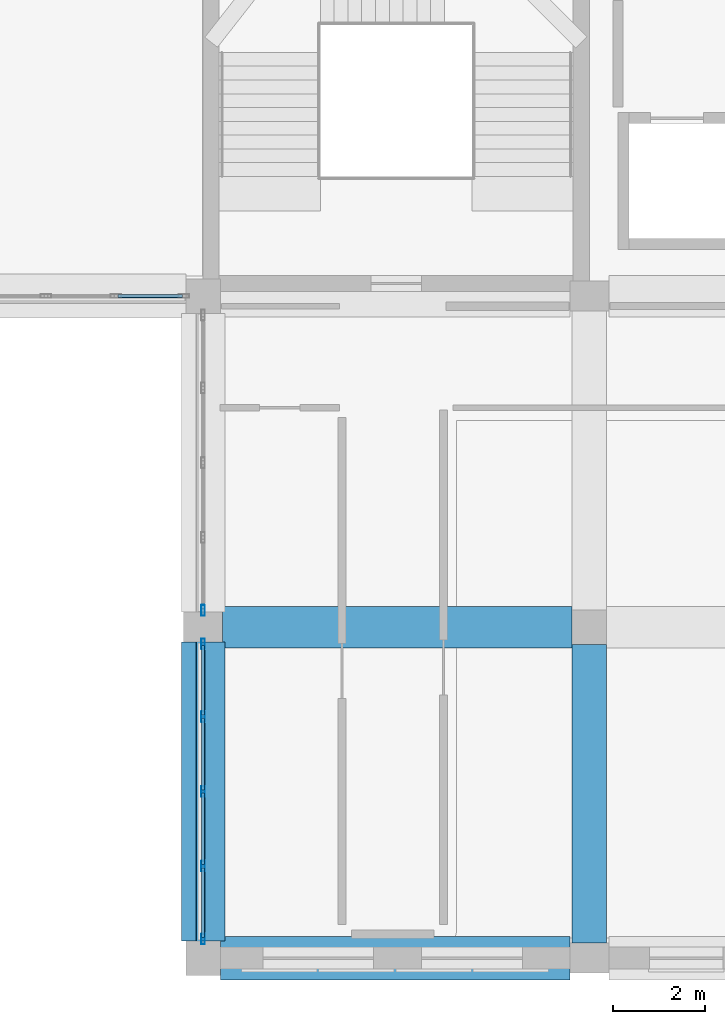
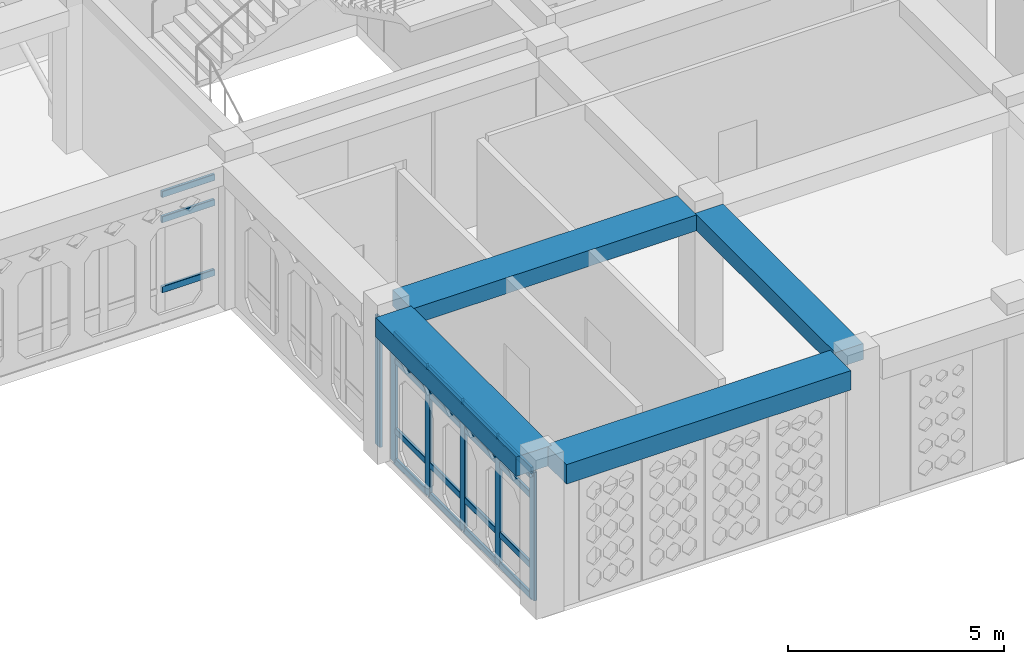
# One storey, part 3 of 100: 26 members, 4 beams, 3 elements without a shape of their own.
"""IFC4 building model written with IfcOpenShell, lengths in metres."""

from ifc_helpers import new_model, si_unit, derived_unit, direction, frame, origin, origin_2d, place, context, subcontext, project, spatial, rectangle, hollow_rectangle, extrude, material, material_profile, profile_set, type_object, element, aggregate, save


model = new_model("IFC4")

# Units and contexts
model_context = context("Model", 3, precision=1e-05, world=origin(), true_north=direction((0.0, 1.0)))
body_context = subcontext(model_context, "Body", "Model", "MODEL_VIEW")
ifc_project = project(units=[si_unit("LENGTHUNIT", "METRE"), si_unit("AREAUNIT", "SQUARE_METRE"), si_unit("VOLUMEUNIT", "CUBIC_METRE"), si_unit("PLANEANGLEUNIT", "RADIAN"), si_unit("MASSUNIT", "GRAM", prefix="KILO"), derived_unit("THERMALTRANSMITTANCEUNIT", [(si_unit("POWERUNIT", "WATT"), 1), (si_unit("LENGTHUNIT", "METRE"), -2), (si_unit("THERMODYNAMICTEMPERATUREUNIT", "KELVIN"), -1)])], contexts=[model_context])

# Site, building, storey
site_placement = place(None, origin())
site = spatial("IfcSite", under=ifc_project, at=site_placement, CompositionType="ELEMENT")
building_placement = place(site_placement, origin())
building = spatial("IfcBuilding", under=site, at=building_placement, Name="Veybourne Emporium", CompositionType="ELEMENT")
storey_placement = place(building_placement, frame((0.0, 0.0, 14.39990234375)))
storey = spatial("IfcBuildingStorey", under=building, at=storey_placement, Name="L03", CompositionType="ELEMENT", Elevation=14.39990234375)

# Curtain wall, members
ifc_material_1 = material(Name="Patinated Architectural Bronze", Category="bronze")
curtain_wall_type_1 = type_object("IfcCurtainWallType", Name="CWSystem_CWS-10", PredefinedType="NOTDEFINED", material=ifc_material_1)
curtain_wall_1_placement = place(storey_placement, origin())
curtain_wall_1 = element("IfcCurtainWall", 1, at=curtain_wall_1_placement, inside=storey, type_object=curtain_wall_type_1, Name="L03 bronze glazed curtain wall CWS-10 (015)", PredefinedType="NOTDEFINED")
ifc_material_profile_1 = material_profile(ifc_material_1, hollow_rectangle(XDim=0.074951171875, YDim=0.22998046875, WallThickness=0.0048828125, InnerFilletRadius=0.007568359375, OuterFilletRadius=0.012451171875, at=origin_2d()), Name="CWM 75x230x5")
ifc_profile_set_1 = profile_set([ifc_material_profile_1], Name="Patinated Architectural Bronze")
member_type_1 = type_object("IfcMemberType", Name="CWMullion_CW-M2", PredefinedType="MULLION", material=ifc_profile_set_1)
member_1_placement = place(storey_placement, frame((16.800048828125, 0.41259765625, 0.0), z_axis=(0.0, 0.0, 1.0), x_axis=(-1.0, 0.0, 0.0)))
member_1 = element("IfcMember", 2, at=member_1_placement, type_object=member_type_1, Name="CWS-10 mullion 1", PredefinedType="MULLION", context=body_context, shape_type="SweptSolid", body=[
    extrude(hollow_rectangle(XDim=0.074951171875, YDim=0.22998046875, WallThickness=0.0048828125, InnerFilletRadius=0.007568359375, OuterFilletRadius=0.012451171875, at=origin_2d()), origin(), (0.0, 0.0, 1.0), 3.630126953125),
])
member_2_placement = place(storey_placement, frame((16.800048828125, 2.0, 0.0), z_axis=(0.0, 0.0, 1.0), x_axis=(-1.0, 0.0, 0.0)))
member_2 = element("IfcMember", 3, at=member_2_placement, type_object=member_type_1, Name="CWS-10 mullion 2", PredefinedType="MULLION", context=body_context, shape_type="SweptSolid", body=[
    extrude(hollow_rectangle(XDim=0.074951171875, YDim=0.22998046875, WallThickness=0.0048828125, InnerFilletRadius=0.007568359375, OuterFilletRadius=0.012451171875, at=origin_2d()), origin(), (0.0, 0.0, 1.0), 3.630126953125),
])
member_3_placement = place(storey_placement, frame((16.800048828125, 3.625, 0.0), z_axis=(0.0, 0.0, 1.0), x_axis=(-1.0, 0.0, 0.0)))
member_3 = element("IfcMember", 4, at=member_3_placement, type_object=member_type_1, Name="CWS-10 mullion 3", PredefinedType="MULLION", context=body_context, shape_type="SweptSolid", body=[
    extrude(hollow_rectangle(XDim=0.074951171875, YDim=0.22998046875, WallThickness=0.0048828125, InnerFilletRadius=0.007568359375, OuterFilletRadius=0.012451171875, at=origin_2d()), origin(), (0.0, 0.0, 1.0), 3.630126953125),
])
member_4_placement = place(storey_placement, frame((16.800048828125, 5.25, 0.0), z_axis=(0.0, 0.0, 1.0), x_axis=(-1.0, 0.0, 0.0)))
member_4 = element("IfcMember", 5, at=member_4_placement, type_object=member_type_1, Name="CWS-10 mullion 4", PredefinedType="MULLION", context=body_context, shape_type="SweptSolid", body=[
    extrude(hollow_rectangle(XDim=0.074951171875, YDim=0.22998046875, WallThickness=0.0048828125, InnerFilletRadius=0.007568359375, OuterFilletRadius=0.012451171875, at=origin_2d()), origin(), (0.0, 0.0, 1.0), 3.630126953125),
])
member_5_placement = place(storey_placement, frame((16.800048828125, 6.83740234375, 0.0), z_axis=(0.0, 0.0, 1.0), x_axis=(-1.0, 0.0, 0.0)))
member_5 = element("IfcMember", 6, at=member_5_placement, type_object=member_type_1, Name="CWS-10 mullion 5", PredefinedType="MULLION", context=body_context, shape_type="SweptSolid", body=[
    extrude(hollow_rectangle(XDim=0.074951171875, YDim=0.22998046875, WallThickness=0.0048828125, InnerFilletRadius=0.007568359375, OuterFilletRadius=0.012451171875, at=origin_2d()), origin(), (0.0, 0.0, 1.0), 3.630126953125),
])

# Curtain wall, member
curtain_wall_type_2 = type_object("IfcCurtainWallType", Name="CWSystem_CWS-11", PredefinedType="NOTDEFINED", material=ifc_material_1)
curtain_wall_2_placement = place(storey_placement, origin())
curtain_wall_2 = element("IfcCurtainWall", 7, at=curtain_wall_2_placement, inside=storey, type_object=curtain_wall_type_2, Name="L03 bronze glazed curtain wall CWS-11 (016)", PredefinedType="NOTDEFINED")
ifc_material_profile_2 = material_profile(ifc_material_1, hollow_rectangle(XDim=0.077880859375, YDim=0.235107421875, WallThickness=0.0048828125, InnerFilletRadius=0.007568359375, OuterFilletRadius=0.012451171875, at=origin_2d()), Name="CWM 78x235x5")
ifc_profile_set_2 = profile_set([ifc_material_profile_2], Name="Patinated Architectural Bronze")
member_type_2 = type_object("IfcMemberType", Name="CWMullion_CW-M3", PredefinedType="MULLION", material=ifc_profile_set_2)
member_6_placement = place(storey_placement, frame((16.800048828125, 7.56396484375, 0.0), z_axis=(0.0, 0.0, 1.0), x_axis=(-1.0, 0.0, 0.0)))
member_6 = element("IfcMember", 8, at=member_6_placement, type_object=member_type_2, Name="CWS-11 mullion 1", PredefinedType="MULLION", context=body_context, shape_type="SweptSolid", body=[
    extrude(hollow_rectangle(XDim=0.077880859375, YDim=0.235107421875, WallThickness=0.0048828125, InnerFilletRadius=0.007568359375, OuterFilletRadius=0.012451171875, at=origin_2d()), origin(), (0.0, 0.0, 1.0), 3.630126953125),
])
aggregate(curtain_wall_2, [member_6])

# Member
ifc_material_profile_3 = material_profile(ifc_material_1, hollow_rectangle(XDim=0.074951171875, YDim=0.179931640625, WallThickness=0.0048828125, InnerFilletRadius=0.007568359375, OuterFilletRadius=0.012451171875, at=origin_2d()), Name="CWT 75x180x5")
ifc_profile_set_3 = profile_set([ifc_material_profile_3], Name="Patinated Architectural Bronze")
member_type_3 = type_object("IfcMemberType", Name="CWTransom_CW-T2", PredefinedType="NOTDEFINED", material=ifc_profile_set_3)
member_7_placement = place(storey_placement, frame((16.800048828125, 0.449951171875, 0.03759765625), z_axis=(0.0, 1.0, 0.0), x_axis=(-1.0, 0.0, 0.0)))
member_7 = element("IfcMember", 9, at=member_7_placement, type_object=member_type_3, Name="CWS-10 transom 1.1", ObjectType="TRANSOM", PredefinedType="USERDEFINED", context=body_context, shape_type="SweptSolid", body=[
    extrude(hollow_rectangle(XDim=0.074951171875, YDim=0.179931640625, WallThickness=0.0048828125, InnerFilletRadius=0.007568359375, OuterFilletRadius=0.012451171875, at=origin_2d()), origin(), (0.0, 0.0, 1.0), 1.512451171875),
])

member_8_placement = place(storey_placement, frame((16.800048828125, 0.449951171875, 0.900146484375), z_axis=(0.0, 1.0, 0.0), x_axis=(-1.0, 0.0, 0.0)))
member_8 = element("IfcMember", 10, at=member_8_placement, type_object=member_type_3, Name="CWS-10 transom 1.2", ObjectType="TRANSOM", PredefinedType="USERDEFINED", context=body_context, shape_type="SweptSolid", body=[
    extrude(hollow_rectangle(XDim=0.074951171875, YDim=0.179931640625, WallThickness=0.0048828125, InnerFilletRadius=0.007568359375, OuterFilletRadius=0.012451171875, at=origin_2d()), origin(), (0.0, 0.0, 1.0), 1.512451171875),
])

member_9_placement = place(storey_placement, frame((16.800048828125, 0.449951171875, 2.880126953125), z_axis=(0.0, 1.0, 0.0), x_axis=(-1.0, 0.0, 0.0)))
member_9 = element("IfcMember", 11, at=member_9_placement, type_object=member_type_3, Name="CWS-10 transom 1.3", ObjectType="TRANSOM", PredefinedType="USERDEFINED", context=body_context, shape_type="SweptSolid", body=[
    extrude(hollow_rectangle(XDim=0.074951171875, YDim=0.179931640625, WallThickness=0.0048828125, InnerFilletRadius=0.007568359375, OuterFilletRadius=0.012451171875, at=origin_2d()), origin(), (0.0, 0.0, 1.0), 1.512451171875),
])

member_10_placement = place(storey_placement, frame((16.800048828125, 0.449951171875, 3.592529296875), z_axis=(0.0, 1.0, 0.0), x_axis=(-1.0, 0.0, 0.0)))
member_10 = element("IfcMember", 12, at=member_10_placement, type_object=member_type_3, Name="CWS-10 transom 1.4", ObjectType="TRANSOM", PredefinedType="USERDEFINED", context=body_context, shape_type="SweptSolid", body=[
    extrude(hollow_rectangle(XDim=0.074951171875, YDim=0.179931640625, WallThickness=0.0048828125, InnerFilletRadius=0.007568359375, OuterFilletRadius=0.012451171875, at=origin_2d()), origin(), (0.0, 0.0, 1.0), 1.512451171875),
])

member_11_placement = place(storey_placement, frame((16.800048828125, 2.03759765625, 0.03759765625), z_axis=(0.0, 1.0, 0.0), x_axis=(-1.0, 0.0, 0.0)))
member_11 = element("IfcMember", 13, at=member_11_placement, type_object=member_type_3, Name="CWS-10 transom 2.1", ObjectType="TRANSOM", PredefinedType="USERDEFINED", context=body_context, shape_type="SweptSolid", body=[
    extrude(hollow_rectangle(XDim=0.074951171875, YDim=0.179931640625, WallThickness=0.0048828125, InnerFilletRadius=0.007568359375, OuterFilletRadius=0.012451171875, at=origin_2d()), origin(), (0.0, 0.0, 1.0), 1.5498046875),
])

member_12_placement = place(storey_placement, frame((16.800048828125, 2.03759765625, 0.900146484375), z_axis=(0.0, 1.0, 0.0), x_axis=(-1.0, 0.0, 0.0)))
member_12 = element("IfcMember", 14, at=member_12_placement, type_object=member_type_3, Name="CWS-10 transom 2.2", ObjectType="TRANSOM", PredefinedType="USERDEFINED", context=body_context, shape_type="SweptSolid", body=[
    extrude(hollow_rectangle(XDim=0.074951171875, YDim=0.179931640625, WallThickness=0.0048828125, InnerFilletRadius=0.007568359375, OuterFilletRadius=0.012451171875, at=origin_2d()), origin(), (0.0, 0.0, 1.0), 1.5498046875),
])

member_13_placement = place(storey_placement, frame((16.800048828125, 2.03759765625, 2.880126953125), z_axis=(0.0, 1.0, 0.0), x_axis=(-1.0, 0.0, 0.0)))
member_13 = element("IfcMember", 15, at=member_13_placement, type_object=member_type_3, Name="CWS-10 transom 2.3", ObjectType="TRANSOM", PredefinedType="USERDEFINED", context=body_context, shape_type="SweptSolid", body=[
    extrude(hollow_rectangle(XDim=0.074951171875, YDim=0.179931640625, WallThickness=0.0048828125, InnerFilletRadius=0.007568359375, OuterFilletRadius=0.012451171875, at=origin_2d()), origin(), (0.0, 0.0, 1.0), 1.5498046875),
])

member_14_placement = place(storey_placement, frame((16.800048828125, 2.03759765625, 3.592529296875), z_axis=(0.0, 1.0, 0.0), x_axis=(-1.0, 0.0, 0.0)))
member_14 = element("IfcMember", 16, at=member_14_placement, type_object=member_type_3, Name="CWS-10 transom 2.4", ObjectType="TRANSOM", PredefinedType="USERDEFINED", context=body_context, shape_type="SweptSolid", body=[
    extrude(hollow_rectangle(XDim=0.074951171875, YDim=0.179931640625, WallThickness=0.0048828125, InnerFilletRadius=0.007568359375, OuterFilletRadius=0.012451171875, at=origin_2d()), origin(), (0.0, 0.0, 1.0), 1.5498046875),
])

member_15_placement = place(storey_placement, frame((16.800048828125, 3.66259765625, 0.03759765625), z_axis=(0.0, 1.0, 0.0), x_axis=(-1.0, 0.0, 0.0)))
member_15 = element("IfcMember", 17, at=member_15_placement, type_object=member_type_3, Name="CWS-10 transom 3.1", ObjectType="TRANSOM", PredefinedType="USERDEFINED", context=body_context, shape_type="SweptSolid", body=[
    extrude(hollow_rectangle(XDim=0.074951171875, YDim=0.179931640625, WallThickness=0.0048828125, InnerFilletRadius=0.007568359375, OuterFilletRadius=0.012451171875, at=origin_2d()), origin(), (0.0, 0.0, 1.0), 1.5498046875),
])

member_16_placement = place(storey_placement, frame((16.800048828125, 3.66259765625, 0.900146484375), z_axis=(0.0, 1.0, 0.0), x_axis=(-1.0, 0.0, 0.0)))
member_16 = element("IfcMember", 18, at=member_16_placement, type_object=member_type_3, Name="CWS-10 transom 3.2", ObjectType="TRANSOM", PredefinedType="USERDEFINED", context=body_context, shape_type="SweptSolid", body=[
    extrude(hollow_rectangle(XDim=0.074951171875, YDim=0.179931640625, WallThickness=0.0048828125, InnerFilletRadius=0.007568359375, OuterFilletRadius=0.012451171875, at=origin_2d()), origin(), (0.0, 0.0, 1.0), 1.5498046875),
])

member_17_placement = place(storey_placement, frame((16.800048828125, 3.66259765625, 2.880126953125), z_axis=(0.0, 1.0, 0.0), x_axis=(-1.0, 0.0, 0.0)))
member_17 = element("IfcMember", 19, at=member_17_placement, type_object=member_type_3, Name="CWS-10 transom 3.3", ObjectType="TRANSOM", PredefinedType="USERDEFINED", context=body_context, shape_type="SweptSolid", body=[
    extrude(hollow_rectangle(XDim=0.074951171875, YDim=0.179931640625, WallThickness=0.0048828125, InnerFilletRadius=0.007568359375, OuterFilletRadius=0.012451171875, at=origin_2d()), origin(), (0.0, 0.0, 1.0), 1.5498046875),
])

member_18_placement = place(storey_placement, frame((16.800048828125, 3.66259765625, 3.592529296875), z_axis=(0.0, 1.0, 0.0), x_axis=(-1.0, 0.0, 0.0)))
member_18 = element("IfcMember", 20, at=member_18_placement, type_object=member_type_3, Name="CWS-10 transom 3.4", ObjectType="TRANSOM", PredefinedType="USERDEFINED", context=body_context, shape_type="SweptSolid", body=[
    extrude(hollow_rectangle(XDim=0.074951171875, YDim=0.179931640625, WallThickness=0.0048828125, InnerFilletRadius=0.007568359375, OuterFilletRadius=0.012451171875, at=origin_2d()), origin(), (0.0, 0.0, 1.0), 1.5498046875),
])

member_19_placement = place(storey_placement, frame((16.800048828125, 5.28759765625, 0.03759765625), z_axis=(0.0, 1.0, 0.0), x_axis=(-1.0, 0.0, 0.0)))
member_19 = element("IfcMember", 21, at=member_19_placement, type_object=member_type_3, Name="CWS-10 transom 4.1", ObjectType="TRANSOM", PredefinedType="USERDEFINED", context=body_context, shape_type="SweptSolid", body=[
    extrude(hollow_rectangle(XDim=0.074951171875, YDim=0.179931640625, WallThickness=0.0048828125, InnerFilletRadius=0.007568359375, OuterFilletRadius=0.012451171875, at=origin_2d()), origin(), (0.0, 0.0, 1.0), 1.512451171875),
])

member_20_placement = place(storey_placement, frame((16.800048828125, 5.28759765625, 0.900146484375), z_axis=(0.0, 1.0, 0.0), x_axis=(-1.0, 0.0, 0.0)))
member_20 = element("IfcMember", 22, at=member_20_placement, type_object=member_type_3, Name="CWS-10 transom 4.2", ObjectType="TRANSOM", PredefinedType="USERDEFINED", context=body_context, shape_type="SweptSolid", body=[
    extrude(hollow_rectangle(XDim=0.074951171875, YDim=0.179931640625, WallThickness=0.0048828125, InnerFilletRadius=0.007568359375, OuterFilletRadius=0.012451171875, at=origin_2d()), origin(), (0.0, 0.0, 1.0), 1.512451171875),
])

member_21_placement = place(storey_placement, frame((16.800048828125, 5.28759765625, 2.880126953125), z_axis=(0.0, 1.0, 0.0), x_axis=(-1.0, 0.0, 0.0)))
member_21 = element("IfcMember", 23, at=member_21_placement, type_object=member_type_3, Name="CWS-10 transom 4.3", ObjectType="TRANSOM", PredefinedType="USERDEFINED", context=body_context, shape_type="SweptSolid", body=[
    extrude(hollow_rectangle(XDim=0.074951171875, YDim=0.179931640625, WallThickness=0.0048828125, InnerFilletRadius=0.007568359375, OuterFilletRadius=0.012451171875, at=origin_2d()), origin(), (0.0, 0.0, 1.0), 1.512451171875),
])

member_22_placement = place(storey_placement, frame((16.800048828125, 5.28759765625, 3.592529296875), z_axis=(0.0, 1.0, 0.0), x_axis=(-1.0, 0.0, 0.0)))
member_22 = element("IfcMember", 24, at=member_22_placement, type_object=member_type_3, Name="CWS-10 transom 4.4", ObjectType="TRANSOM", PredefinedType="USERDEFINED", context=body_context, shape_type="SweptSolid", body=[
    extrude(hollow_rectangle(XDim=0.074951171875, YDim=0.179931640625, WallThickness=0.0048828125, InnerFilletRadius=0.007568359375, OuterFilletRadius=0.012451171875, at=origin_2d()), origin(), (0.0, 0.0, 1.0), 1.512451171875),
])

aggregate(curtain_wall_1, [member_1, member_2, member_3, member_4, member_5, member_7, member_8, member_9, member_10, member_11, member_12, member_13, member_14, member_15, member_16, member_17, member_18, member_19, member_20, member_21, member_22])

# Curtain wall, members
curtain_wall_type_3 = type_object("IfcCurtainWallType", Name="CWSystem_CWS-07", PredefinedType="NOTDEFINED", material=ifc_material_1)
curtain_wall_3_placement = place(storey_placement, origin())
curtain_wall_3 = element("IfcCurtainWall", 25, at=curtain_wall_3_placement, inside=storey, type_object=curtain_wall_type_3, Name="L03 bronze glazed curtain wall CWS-07 (008)", PredefinedType="NOTDEFINED")
ifc_material_profile_4 = material_profile(ifc_material_1, hollow_rectangle(XDim=0.077880859375, YDim=0.18505859375, WallThickness=0.0048828125, InnerFilletRadius=0.007568359375, OuterFilletRadius=0.012451171875, at=origin_2d()), Name="CWT 78x185x5")
ifc_profile_set_4 = profile_set([ifc_material_profile_4], Name="Patinated Architectural Bronze")
member_type_4 = type_object("IfcMemberType", Name="CWTransom_CW-T3", PredefinedType="NOTDEFINED", material=ifc_profile_set_4)
member_23_placement = place(storey_placement, frame((16.346923828125, 14.39990234375, 0.900146484375), z_axis=(-1.0, 0.0, 0.0), x_axis=(0.0, -1.0, 0.0)))
member_23 = element("IfcMember", 26, at=member_23_placement, type_object=member_type_4, Name="CWS-07 transom 1.2", ObjectType="TRANSOM", PredefinedType="USERDEFINED", context=body_context, shape_type="SweptSolid", body=[
    extrude(hollow_rectangle(XDim=0.077880859375, YDim=0.18505859375, WallThickness=0.0048828125, InnerFilletRadius=0.007568359375, OuterFilletRadius=0.012451171875, at=origin_2d()), origin(), (0.0, 0.0, 1.0), 1.40283203125),
])
member_24_placement = place(storey_placement, frame((16.346923828125, 14.39990234375, 2.880126953125), z_axis=(-1.0, 0.0, 0.0), x_axis=(0.0, -1.0, 0.0)))
member_24 = element("IfcMember", 27, at=member_24_placement, type_object=member_type_4, Name="CWS-07 transom 1.3", ObjectType="TRANSOM", PredefinedType="USERDEFINED", context=body_context, shape_type="SweptSolid", body=[
    extrude(hollow_rectangle(XDim=0.077880859375, YDim=0.18505859375, WallThickness=0.0048828125, InnerFilletRadius=0.007568359375, OuterFilletRadius=0.012451171875, at=origin_2d()), origin(), (0.0, 0.0, 1.0), 1.40283203125),
])
member_25_placement = place(storey_placement, frame((16.346923828125, 14.39990234375, 3.591064453125), z_axis=(-1.0, 0.0, 0.0), x_axis=(0.0, -1.0, 0.0)))
member_25 = element("IfcMember", 28, at=member_25_placement, type_object=member_type_4, Name="CWS-07 transom 1.4", ObjectType="TRANSOM", PredefinedType="USERDEFINED", context=body_context, shape_type="SweptSolid", body=[
    extrude(hollow_rectangle(XDim=0.077880859375, YDim=0.18505859375, WallThickness=0.0048828125, InnerFilletRadius=0.007568359375, OuterFilletRadius=0.012451171875, at=origin_2d()), origin(), (0.0, 0.0, 1.0), 1.40283203125),
])
aggregate(curtain_wall_3, [member_23, member_24, member_25])

# Beams
ifc_material_2 = material(Name="Concrete C32/40", Category="concrete")
ifc_material_profile_5 = material_profile(ifc_material_2, rectangle(XDim=0.89990234375, YDim=0.449951171875, at=origin_2d()), Name="RC 900x450")
ifc_profile_set_5 = profile_set([ifc_material_profile_5], Name="Concrete C32/40")
beam_type_1 = type_object("IfcBeamType", Name="RCBeam_BB-03", PredefinedType="BEAM", material=ifc_profile_set_5)
beam_1_placement = place(storey_placement, frame((17.22509765625, 7.199951171875, 3.955078125), z_axis=(1.0, 0.0, 0.0), x_axis=(0.0, 1.0, 0.0)))
element("IfcBeam", 29, at=beam_1_placement, inside=storey, type_object=beam_type_1, Name="L03 X-grid beam BB-03 (2,1)", PredefinedType="BEAM", context=body_context, shape_type="SweptSolid", body=[
    extrude(rectangle(XDim=0.89990234375, YDim=0.449951171875, at=origin_2d()), origin(), (0.0, 0.0, 1.0), 7.599853515625),
])
ifc_material_profile_6 = material_profile(ifc_material_2, rectangle(XDim=0.75, YDim=0.449951171875, at=origin_2d()), Name="RC 750x450")
ifc_profile_set_6 = profile_set([ifc_material_profile_6], Name="Concrete C32/40")
beam_type_2 = type_object("IfcBeamType", Name="RCBeam_BB-04", PredefinedType="BEAM", material=ifc_profile_set_6)
beam_2_placement = place(storey_placement, frame((25.199951171875, 0.324951171875, 3.955078125), z_axis=(0.0, 1.0, 0.0), x_axis=(-1.0, 0.0, 0.0)))
element("IfcBeam", 30, at=beam_2_placement, inside=storey, type_object=beam_type_2, Name="L03 Y-grid beam BB-04 (3,0)", PredefinedType="BEAM", context=body_context, shape_type="SweptSolid", body=[
    extrude(rectangle(XDim=0.75, YDim=0.449951171875, at=origin_2d()), origin(), (0.0, 0.0, 1.0), 6.5),
])
ifc_material_profile_7 = material_profile(ifc_material_2, rectangle(XDim=0.949951171875, YDim=0.550048828125, at=origin_2d()), Name="RC 950x550")
ifc_profile_set_7 = profile_set([ifc_material_profile_7], Name="Concrete C32/40")
beam_type_3 = type_object("IfcBeamType", Name="RCBeam_EB-01", PredefinedType="SPANDREL", material=ifc_profile_set_7)
beam_3_placement = place(storey_placement, frame((17.175048828125, 0.0, 3.905029296875), z_axis=(1.0, 0.0, 0.0), x_axis=(0.0, 1.0, 0.0)))
element("IfcBeam", 31, at=beam_3_placement, inside=storey, type_object=beam_type_3, Name="L03 X-grid beam EB-01 (2,0)", PredefinedType="SPANDREL", context=body_context, shape_type="SweptSolid", body=[
    extrude(rectangle(XDim=0.949951171875, YDim=0.550048828125, at=origin_2d()), origin(), (0.0, 0.0, 1.0), 7.599853515625),
])
beam_4_placement = place(storey_placement, frame((16.800048828125, 0.375, 3.905029296875), z_axis=(0.0, 1.0, 0.0), x_axis=(-1.0, 0.0, 0.0)))
element("IfcBeam", 32, at=beam_4_placement, inside=storey, type_object=beam_type_3, Name="L03 Y-grid beam EB-01 (2,0)", PredefinedType="SPANDREL", context=body_context, shape_type="SweptSolid", body=[
    extrude(rectangle(XDim=0.949951171875, YDim=0.550048828125, at=origin_2d()), origin(), (0.0, 0.0, 1.0), 6.5),
])

# Member
ifc_material_3 = material(Name="Steel S355", Category="steel")
ifc_material_profile_8 = material_profile(ifc_material_3, hollow_rectangle(XDim=0.1201171875, YDim=0.1201171875, WallThickness=0.00634765625, InnerFilletRadius=0.009521484375, OuterFilletRadius=0.015869140625, at=origin_2d()), Name="SHS 120x120x6.3")
ifc_profile_set_8 = profile_set([ifc_material_profile_8], Name="Steel S355")
member_type_5 = type_object("IfcMemberType", Name="SteelMem_CS-02", PredefinedType="STRUT", material=ifc_profile_set_8)
member_26_placement = place(storey_placement, frame((16.70458984375, 0.324951171875, 3.570068359375), z_axis=(0.0, 1.0, 0.0), x_axis=(-1.0, 0.0, 0.0)))
element("IfcMember", 33, at=member_26_placement, inside=storey, type_object=member_type_5, Name="Corner entrance lattice architrave bar 03", PredefinedType="STRUT", context=body_context, shape_type="SweptSolid", body=[
    extrude(hollow_rectangle(XDim=0.1201171875, YDim=0.1201171875, WallThickness=0.00634765625, InnerFilletRadius=0.009521484375, OuterFilletRadius=0.015869140625, at=origin_2d()), origin(), (0.0, 0.0, 1.0), 6.60009765625),
])

save(model, "model.ifc")
